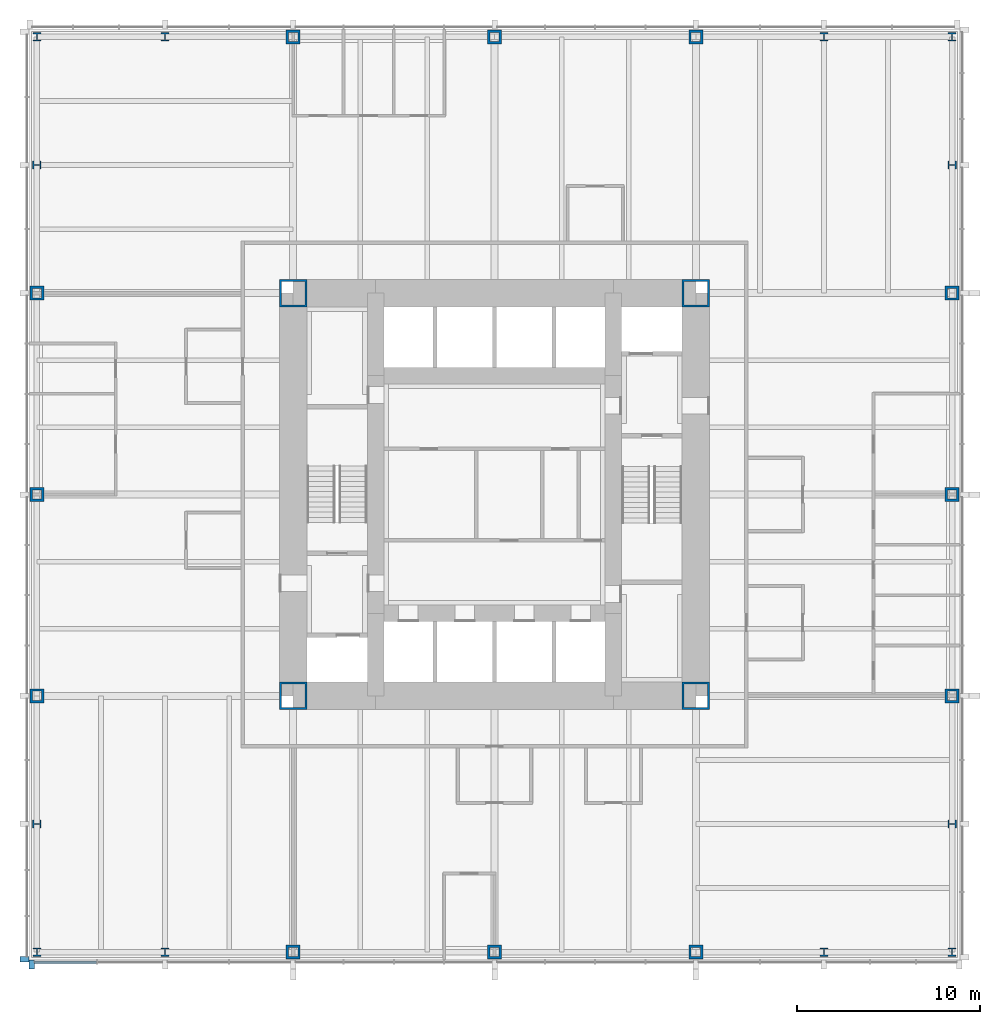
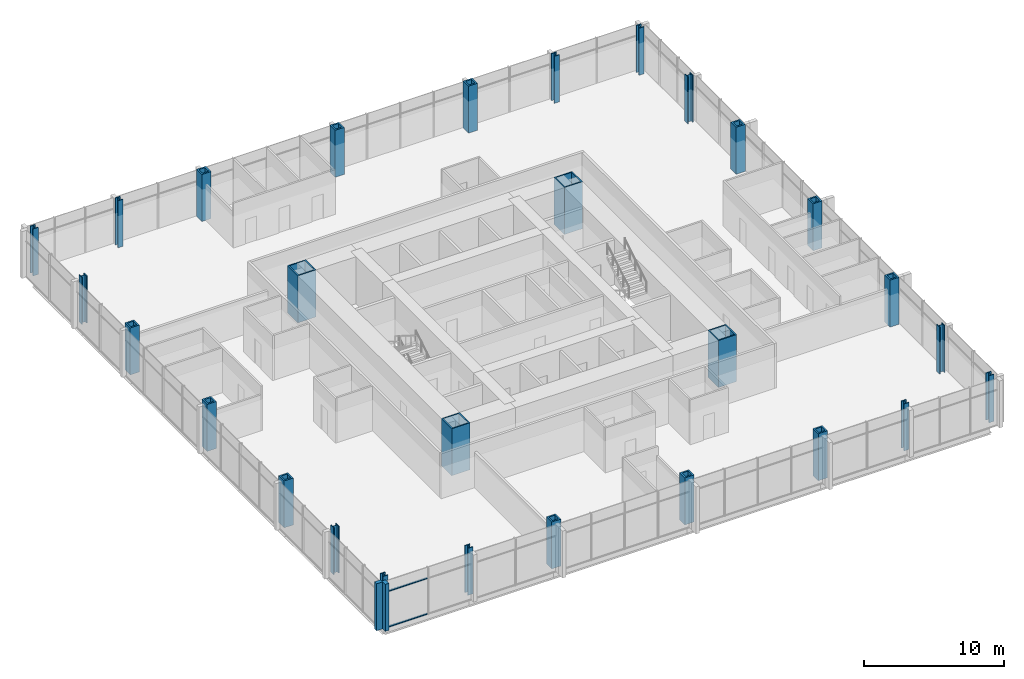
# One storey, part 1 of 12: 28 columns, 4 members, 2 elements without a shape of their own.
"""IFC4 building model written with IfcOpenShell, lengths in metres."""

from ifc_helpers import new_model, si_unit, direction, frame, origin, origin_2d, place, context, subcontext, project, spatial, rectangle, hollow_rectangle, i_section, extrude, material, material_profile, profile_set, type_object, element, aggregate, save


model = new_model("IFC4")

# Units and contexts
model_context = context("Model", 3, precision=1e-05, world=origin(), true_north=direction((0.0, 1.0)))
body_context = subcontext(model_context, "Body", "Model", "MODEL_VIEW")
ifc_project = project(units=[si_unit("LENGTHUNIT", "METRE"), si_unit("AREAUNIT", "SQUARE_METRE"), si_unit("VOLUMEUNIT", "CUBIC_METRE"), si_unit("PLANEANGLEUNIT", "RADIAN"), si_unit("MASSUNIT", "GRAM", prefix="KILO")], contexts=[model_context])

# Site, building, storey
site_placement = place(None, origin())
site = spatial("IfcSite", under=ifc_project, at=site_placement, CompositionType="ELEMENT")
building_placement = place(site_placement, origin())
building = spatial("IfcBuilding", under=site, at=building_placement, Name="Trevanion Tower", CompositionType="ELEMENT")
storey_placement = place(building_placement, frame((0.0, 0.0, 40.60009765625)))
storey = spatial("IfcBuildingStorey", under=building, at=storey_placement, Name="L09", CompositionType="ELEMENT", Elevation=40.60009765625)

# Columns
ifc_material_1 = material(Name="Steel ASTM A588 Grade 50", Category="steel")
ifc_material_profile_1 = material_profile(ifc_material_1, hollow_rectangle(XDim=0.761962890625, YDim=0.761962890625, WallThickness=0.126953125, at=origin_2d()), Name="BOX30X30X5")
ifc_profile_set_1 = profile_set([ifc_material_profile_1], Name="Steel ASTM A588 Grade 50")
column_type_1 = type_object("IfcColumnType", Name="C1 BOX30X30X5", PredefinedType="COLUMN", material=ifc_profile_set_1)
for number, where, z_axis, x_axis, name in (
    (1, (-25.0, 0.0, 0.0), (0.0, 0.0, 1.0), (0.0, 1.0, 0.0), "C1 3/H L09"),
    (2, (-25.0, -11.0, 0.0), (0.0, 0.0, 1.0), (0.0, 1.0, 0.0), "C1 3/F L09"),
    (3, (-11.0, -25.0, 0.0), (0.0, 0.0, 1.0), (1.0, 0.0, 0.0), "C1 8/A L09"),
    (4, (0.0, -25.0, 0.0), (0.0, 0.0, 1.0), (1.0, 0.0, 0.0), "C1 10/A L09"),
    (5, (11.0, -25.0, 0.0), (0.0, 0.0, 1.0), (1.0, 0.0, 0.0), "C1 12/A L09"),
    (6, (25.0, -11.0, 0.0), (0.0, 0.0, 1.0), (0.0, 1.0, 0.0), "C1 17/F L09"),
    (7, (25.0, 0.0, 0.0), (0.0, 0.0, 1.0), (0.0, 1.0, 0.0), "C1 17/H L09"),
    (8, (25.0, 11.0, 0.0), (0.0, 0.0, 1.0), (0.0, 1.0, 0.0), "C1 17/K L09"),
    (9, (11.0, 25.0, 0.0), (0.0, 0.0, 1.0), (1.0, 0.0, 0.0), "C1 12/Q L09"),
    (10, (0.0, 25.0, 0.0), (0.0, 0.0, 1.0), (1.0, 0.0, 0.0), "C1 10/Q L09"),
    (11, (-11.0, 25.0, 0.0), (0.0, 0.0, 1.0), (1.0, 0.0, 0.0), "C1 8/Q L09"),
    (12, (-25.0, 11.0, 0.0), (0.0, 0.0, 1.0), (0.0, 1.0, 0.0), "C1 3/K L09"),
):
    element("IfcColumn", number, at=place(storey_placement, frame(where, z_axis=z_axis, x_axis=x_axis)), inside=storey, type_object=column_type_1, Name=name, PredefinedType="COLUMN", context=body_context, shape_type="SweptSolid", body=[
        extrude(hollow_rectangle(XDim=0.761962890625, YDim=0.761962890625, WallThickness=0.126953125, at=origin_2d()), origin(), (0.0, 0.0, 1.0), 4.099853515625),
    ])
ifc_material_2 = material(Name="Steel ASTM A913 Grade 65", Category="steel")
ifc_material_profile_2 = material_profile(ifc_material_2, i_section(OverallWidth=0.421630859375, OverallDepth=0.46484375, WebThickness=0.044921875, FlangeThickness=0.072509765625, at=origin_2d()), Name="W14X398")
ifc_profile_set_2 = profile_set([ifc_material_profile_2], Name="Steel ASTM A913 Grade 65")
column_type_2 = type_object("IfcColumnType", Name="C2 W14X398", PredefinedType="COLUMN", material=ifc_profile_set_2)
for number, where, z_axis, x_axis, name in (
    (13, (-25.0, -18.0, 0.0), (0.0, 0.0, 1.0), (0.0, 1.0, 0.0), "C2 3/D L09"),
    (14, (-25.0, -25.0, 0.0), (0.0, 0.0, 1.0), (1.0, 0.0, 0.0), "C2 3/A L09"),
    (15, (-18.0, -25.0, 0.0), (0.0, 0.0, 1.0), (1.0, 0.0, 0.0), "C2 6/A L09"),
    (16, (18.0, -25.0, 0.0), (0.0, 0.0, 1.0), (1.0, 0.0, 0.0), "C2 14/A L09"),
    (17, (25.0, -25.0, 0.0), (0.0, 0.0, 1.0), (1.0, 0.0, 0.0), "C2 17/A L09"),
    (18, (25.0, -18.0, 0.0), (0.0, 0.0, 1.0), (0.0, 1.0, 0.0), "C2 17/D L09"),
    (19, (25.0, 18.0, 0.0), (0.0, 0.0, 1.0), (0.0, 1.0, 0.0), "C2 17/M L09"),
    (20, (25.0, 25.0, 0.0), (0.0, 0.0, 1.0), (1.0, 0.0, 0.0), "C2 17/Q L09"),
    (21, (18.0, 25.0, 0.0), (0.0, 0.0, 1.0), (1.0, 0.0, 0.0), "C2 14/Q L09"),
    (22, (-18.0, 25.0, 0.0), (0.0, 0.0, 1.0), (1.0, 0.0, 0.0), "C2 6/Q L09"),
    (23, (-25.0, 25.0, 0.0), (0.0, 0.0, 1.0), (1.0, 0.0, 0.0), "C2 3/Q L09"),
    (24, (-25.0, 18.0, 0.0), (0.0, 0.0, 1.0), (0.0, 1.0, 0.0), "C2 3/M L09"),
):
    element("IfcColumn", number, at=place(storey_placement, frame(where, z_axis=z_axis, x_axis=x_axis)), inside=storey, type_object=column_type_2, Name=name, PredefinedType="COLUMN", context=body_context, shape_type="SweptSolid", body=[
        extrude(i_section(OverallWidth=0.421630859375, OverallDepth=0.46484375, WebThickness=0.044921875, FlangeThickness=0.072509765625, at=origin_2d()), origin(), (0.0, 0.0, 1.0), 4.099853515625),
    ])
ifc_material_3 = material(Name="Steel ASTM A572 Grade 50", Category="steel")
ifc_material_profile_3 = material_profile(ifc_material_3, hollow_rectangle(XDim=1.49853515625, YDim=1.49853515625, WallThickness=0.1015625, at=origin_2d()), Name="BOX59X59X4")
ifc_profile_set_3 = profile_set([ifc_material_profile_3], Name="Steel ASTM A572 Grade 50")
column_type_3 = type_object("IfcColumnType", Name="CB1 BOX59X59X4", PredefinedType="COLUMN", material=ifc_profile_set_3)
for number, where, z_axis, x_axis, name in (
    (25, (11.0, 11.0, 0.0), (0.0, 0.0, 1.0), (1.0, 0.0, 0.0), "CB1 NE L09"),
    (26, (-11.0, 11.0, 0.0), (0.0, 0.0, 1.0), (1.0, 0.0, 0.0), "CB1 NW L09"),
    (27, (-11.0, -11.0, 0.0), (0.0, 0.0, 1.0), (1.0, 0.0, 0.0), "CB1 SW L09"),
    (28, (11.0, -11.0, 0.0), (0.0, 0.0, 1.0), (1.0, 0.0, 0.0), "CB1 SE L09"),
):
    element("IfcColumn", number, at=place(storey_placement, frame(where, z_axis=z_axis, x_axis=x_axis)), inside=storey, type_object=column_type_3, Name=name, PredefinedType="COLUMN", context=body_context, shape_type="SweptSolid", body=[
        extrude(hollow_rectangle(XDim=1.49853515625, YDim=1.49853515625, WallThickness=0.1015625, at=origin_2d()), origin(), (0.0, 0.0, 1.0), 4.099853515625),
    ])

# Curtain wall, member
ifc_material_4 = material(Name="Aluminium and glass", Category="aluminium")
curtain_wall_type = type_object("IfcCurtainWallType", Name="CW1 curtain wall", PredefinedType="USERDEFINED", material=ifc_material_4)
curtain_wall_1_placement = place(storey_placement, origin())
curtain_wall_1 = element("IfcCurtainWall", 29, at=curtain_wall_1_placement, inside=storey, type_object=curtain_wall_type, Name="CW1 L09 2", ObjectType="UNITISED CURTAIN WALL", PredefinedType="USERDEFINED")
ifc_material_5 = material(Name="Aluminium extrusion, anodised bronze", Category="aluminium")
ifc_material_profile_4 = material_profile(ifc_material_5, rectangle(XDim=0.300048828125, YDim=0.5, at=origin_2d()), Name="CW1 pier mullion")
ifc_profile_set_4 = profile_set([ifc_material_profile_4], Name="Aluminium extrusion, anodised bronze")
member_type_1 = type_object("IfcMemberType", Name="CW1 pier mullion", PredefinedType="MULLION", material=ifc_profile_set_4)
member_1_placement = place(storey_placement, frame((-25.675048828125, -25.39990234375, -0.190185546875), z_axis=(0.0, 0.0, 1.0), x_axis=(0.0, -1.0, 0.0)))
member_1 = element("IfcMember", 30, at=member_1_placement, type_object=member_type_1, Name="CW1 pier mullion 18", PredefinedType="MULLION", context=body_context, shape_type="SweptSolid", body=[
    extrude(rectangle(XDim=0.300048828125, YDim=0.5, at=origin_2d()), origin(), (0.0, 0.0, 1.0), 4.10009765625),
])
aggregate(curtain_wall_1, [member_1])

# Curtain wall, members
curtain_wall_2_placement = place(storey_placement, origin())
curtain_wall_2 = element("IfcCurtainWall", 31, at=curtain_wall_2_placement, inside=storey, type_object=curtain_wall_type, Name="CW1 L09 3", ObjectType="UNITISED CURTAIN WALL", PredefinedType="USERDEFINED")
member_2_placement = place(storey_placement, frame((-25.27001953125, -25.675048828125, -0.190185546875), z_axis=(0.0, 0.0, 1.0), x_axis=(1.0, 0.0, 0.0)))
member_2 = element("IfcMember", 32, at=member_2_placement, type_object=member_type_1, Name="CW1 pier mullion 1", PredefinedType="MULLION", context=body_context, shape_type="SweptSolid", body=[
    extrude(rectangle(XDim=0.300048828125, YDim=0.5, at=origin_2d()), origin(), (0.0, 0.0, 1.0), 4.10009765625),
])
ifc_material_6 = material(Name="Aluminium extrusion, anodised bronze", Category="aluminium")
ifc_material_profile_5 = material_profile(ifc_material_6, rectangle(XDim=0.14990234375, YDim=0.074951171875, at=origin_2d()), Name="CW1 transom")
ifc_profile_set_5 = profile_set([ifc_material_profile_5], Name="Aluminium extrusion, anodised bronze")
member_type_2 = type_object("IfcMemberType", Name="CW1 transom", PredefinedType="USERDEFINED", material=ifc_profile_set_5)
member_3_placement = place(storey_placement, frame((-25.1201171875, -25.550048828125, -0.152587890625), z_axis=(1.0, 0.0, 0.0), x_axis=(0.0, 1.0, 0.0)))
member_3 = element("IfcMember", 33, at=member_3_placement, type_object=member_type_2, Name="CW1 transom 1.1", ObjectType="TRANSOM", PredefinedType="USERDEFINED", context=body_context, shape_type="SweptSolid", body=[
    extrude(rectangle(XDim=0.14990234375, YDim=0.074951171875, at=origin_2d()), origin(), (0.0, 0.0, 1.0), 3.37255859375),
])
member_4_placement = place(storey_placement, frame((-25.1201171875, -25.550048828125, 2.9599609375), z_axis=(1.0, 0.0, 0.0), x_axis=(0.0, 1.0, 0.0)))
member_4 = element("IfcMember", 34, at=member_4_placement, type_object=member_type_2, Name="CW1 transom 1.2", ObjectType="TRANSOM", PredefinedType="USERDEFINED", context=body_context, shape_type="SweptSolid", body=[
    extrude(rectangle(XDim=0.14990234375, YDim=0.074951171875, at=origin_2d()), origin(), (0.0, 0.0, 1.0), 3.37255859375),
])
aggregate(curtain_wall_2, [member_2, member_3, member_4])

save(model, "model.ifc")
